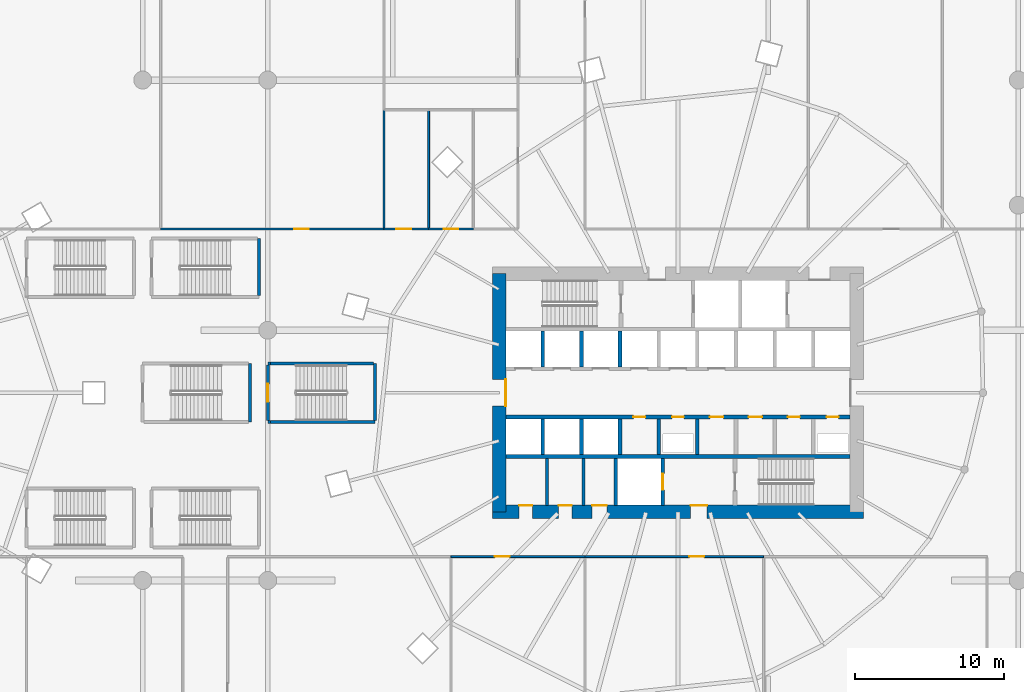
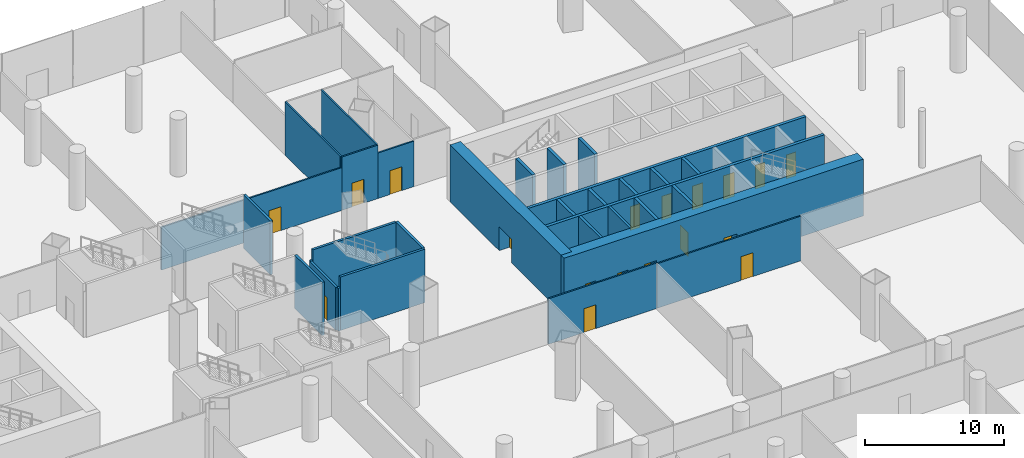
# One storey, part 39 of 51: 31 walls, 18 doors, 18 openings.
"""IFC4 building model written with IfcOpenShell, lengths in metres."""

import ifcopenshell
import ifcopenshell.guid

model = None  # the IFC model being written
_history = None  # IfcOwnerHistory: only IFC2X3 demands one
_inside = {}  # id of a spatial element -> (the spatial element, [elements in it])
_under = {}  # id of a project, library or spatial element -> (it, [spatial elements below it])
_declared = {}  # id of a project -> (the project, [libraries it declares])
_typed = {}  # id of a type object -> (the type object, [elements of that type])
_made_of = {}  # id of a material, layer set ... -> (it, [elements and type objects made of it])


def new_model(schema):
    """Start an empty IFC model of exactly this schema.

    Asked for "IFC4X3", IfcOpenShell would pick the latest addendum, in which some entities
    have other attributes; the version numbers below select the first issue.
    IFC2X3 requires an IfcOwnerHistory on every rooted entity: one is made here for all.
    """
    global model, _history
    if schema == "IFC4X3":
        model = ifcopenshell.file(schema_version=(4, 3, 0, 0))
    else:
        model = ifcopenshell.file(schema=schema)
    _inside.clear()
    _under.clear()
    _declared.clear()
    _typed.clear()
    _made_of.clear()
    _history = None
    if model.schema == "IFC2X3":
        org = make("IfcOrganization", Name="unknown")
        user = make(
            "IfcPersonAndOrganization",
            ThePerson=make("IfcPerson", FamilyName="unknown"),
            TheOrganization=org,
        )
        app = make(
            "IfcApplication",
            ApplicationDeveloper=org,
            Version="unknown",
            ApplicationFullName="unknown",
            ApplicationIdentifier="unknown",
        )
        _history = make(
            "IfcOwnerHistory",
            OwningUser=user,
            OwningApplication=app,
            ChangeAction="ADDED",
            CreationDate=0,
        )
    return model


def make(cls, **values):
    """One entity of the class cls with the attributes given. An attribute that is None is left unset."""
    return model.create_entity(
        cls, **{name: value for name, value in values.items() if value is not None}
    )


def rooted(cls, **values):
    """An entity with a GlobalId (a new one), such as an element, a storey or a relation."""
    return make(cls, GlobalId=ifcopenshell.guid.new(), OwnerHistory=_history, **values)


def si_unit(unit_type, name, prefix=None):
    """IfcSIUnit, for example si_unit("LENGTHUNIT", "METRE", prefix="MILLI")."""
    return make("IfcSIUnit", UnitType=unit_type, Prefix=prefix, Name=name)


def assignment(units):
    """IfcUnitAssignment: the units of a project."""
    return None if units is None else make("IfcUnitAssignment", Units=units)


def point(xyz):
    """IfcCartesianPoint."""
    return None if xyz is None else make("IfcCartesianPoint", Coordinates=xyz)


def direction(xyz):
    """IfcDirection."""
    return None if xyz is None else make("IfcDirection", DirectionRatios=xyz)


def frame(location, z_axis=None, x_axis=None):
    """IfcAxis2Placement3D, a coordinate frame: its origin and axes. An axis left out is left unset."""
    return make(
        "IfcAxis2Placement3D",
        Location=point(location),
        Axis=direction(z_axis),
        RefDirection=direction(x_axis),
    )


def frame_2d(location, x_axis=None):
    """IfcAxis2Placement2D, a coordinate frame in the plane: its origin and x axis."""
    return make(
        "IfcAxis2Placement2D", Location=point(location), RefDirection=direction(x_axis)
    )


def origin():
    """The frame at (0, 0, 0) with its axes left unset."""
    return frame((0.0, 0.0, 0.0))


def place(relative_to, where):
    """IfcLocalPlacement: puts the frame where relative to a parent placement (None: the world)."""
    return make(
        "IfcLocalPlacement", PlacementRelTo=relative_to, RelativePlacement=where
    )


def context(
    kind, dimensions, precision=None, world=None, true_north=None, identifier=None
):
    """IfcGeometricRepresentationContext, for example the 3D "Model" context."""
    return make(
        "IfcGeometricRepresentationContext",
        ContextIdentifier=identifier,
        ContextType=kind,
        CoordinateSpaceDimension=dimensions,
        Precision=precision,
        WorldCoordinateSystem=world,
        TrueNorth=true_north,
    )


def subcontext(parent, identifier, kind, view, scale=None):
    """IfcGeometricRepresentationSubContext, for example "Body" below "Model"."""
    return make(
        "IfcGeometricRepresentationSubContext",
        ContextIdentifier=identifier,
        ContextType=kind,
        ParentContext=parent,
        TargetScale=scale,
        TargetView=view,
    )


def project(units=None, contexts=None):
    """IfcProject with its units and contexts."""
    return rooted(
        "IfcProject",
        Name="project",
        RepresentationContexts=contexts,
        UnitsInContext=assignment(units),
    )


def spatial(cls, under=None, at=None, **own):
    """A site, building, storey or space (cls), placed at a placement, below another one or the project."""
    s = rooted(cls, ObjectPlacement=at, **own)
    if under is not None:
        _under.setdefault(under.id(), (under, []))[1].append(s)
    return s


def profile(cls, at=None, kind="AREA", **sizes):
    """A parametric profile (cls). Its sizes go by their IFC names, for example OverallWidth=200.0."""
    return make(cls, ProfileType=kind, Position=at, **sizes)


def rectangle(**sizes):
    """IfcRectangleProfileDef."""
    return profile("IfcRectangleProfileDef", **sizes)


def extrude(swept, where, along, depth):
    """IfcExtrudedAreaSolid: the profile swept, set in the frame where, extruded along a direction by depth."""
    return make(
        "IfcExtrudedAreaSolid",
        SweptArea=swept,
        Position=where,
        ExtrudedDirection=direction(along),
        Depth=depth,
    )


def shape(context_of_items, identifier, shape_type, items):
    """IfcShapeRepresentation: the items that make up one representation, for example the "Body"."""
    return make(
        "IfcShapeRepresentation",
        ContextOfItems=context_of_items,
        RepresentationIdentifier=identifier,
        RepresentationType=shape_type,
        Items=items,
    )


def material(Name=None, Category=None):
    """IfcMaterial."""
    return make("IfcMaterial", Name=Name, Category=Category)


def layer(
    of_material, thickness, ventilated=None, Name=None, Category=None, Priority=None
):
    """IfcMaterialLayer: one layer of a wall or slab, of a material (None: an air gap)."""
    return make(
        "IfcMaterialLayer",
        Material=of_material,
        LayerThickness=thickness,
        IsVentilated=ventilated,
        Name=Name,
        Category=Category,
        Priority=Priority,
    )


def layer_set(layers, Name=None):
    """IfcMaterialLayerSet."""
    return make("IfcMaterialLayerSet", MaterialLayers=layers, LayerSetName=Name)


def made_of(thing, what):
    """Note that an element or type object is made of a material, layer set ...; save() writes the relation."""
    if what is not None:
        _made_of.setdefault(what.id(), (what, []))[1].append(thing)
    return thing


def type_object(cls, material=None, **own):
    """A type object (cls), such as IfcWallType, which elements share."""
    return made_of(rooted(cls, **own), material)


def element(
    cls,
    number,
    at=None,
    inside=None,
    cuts=None,
    type_object=None,
    material=None,
    context=None,
    identifier="Body",
    shape_type=None,
    held_by="IfcProductDefinitionShape",
    body=None,
    shapes=None,
    **own,
):
    """One element of the class cls, such as IfcWall. Its Tag is "e" and its number.

    at: its placement. inside: the storey or other place that contains it. cuts: it is an
    opening in that element (IfcRelVoidsElement). A single representation is given by context,
    identifier, shape_type and body (its items); several are given by shapes. held_by: the class
    of the entity that holds the representations. save() writes the other relations.
    """
    e = rooted(cls, Tag="e%d" % number, ObjectPlacement=at, **own)
    if body is not None:
        shapes = [shape(context, identifier, shape_type, body)]
    if shapes is not None:
        e.Representation = make(held_by, Representations=shapes)
    if inside is not None:
        _inside.setdefault(inside.id(), (inside, []))[1].append(e)
    if cuts is not None:
        rooted(
            "IfcRelVoidsElement", RelatingBuildingElement=cuts, RelatedOpeningElement=e
        )
    if type_object is not None:
        _typed.setdefault(type_object.id(), (type_object, []))[1].append(e)
    return made_of(e, material)


def fill(opening, filler):
    """IfcRelFillsElement: the door or window that sits in an opening."""
    return rooted(
        "IfcRelFillsElement",
        RelatingOpeningElement=opening,
        RelatedBuildingElement=filler,
    )


def aggregate(whole, parts):
    """IfcRelAggregates: a whole, such as a stair, and the parts it consists of."""
    return rooted("IfcRelAggregates", RelatingObject=whole, RelatedObjects=parts)


def save(model, path):
    """Write the relations noted so far, then the file.

    IfcRelAggregates (storeys below a building ...), IfcRelContainedInSpatialStructure (elements
    in a storey), IfcRelDefinesByType, IfcRelAssociatesMaterial and IfcRelDeclares: one each for
    every whole, place, type object, material and project.
    """
    for whole, parts in _under.values():
        aggregate(whole, parts)
    for where, things in _inside.values():
        rooted(
            "IfcRelContainedInSpatialStructure",
            RelatedElements=things,
            RelatingStructure=where,
        )
    for kind, things in _typed.values():
        rooted("IfcRelDefinesByType", RelatedObjects=things, RelatingType=kind)
    for what, things in _made_of.values():
        rooted("IfcRelAssociatesMaterial", RelatedObjects=things, RelatingMaterial=what)
    for by, libraries in _declared.values():
        rooted("IfcRelDeclares", RelatingContext=by, RelatedDefinitions=libraries)
    model.write(path)


model = new_model("IFC4")

# Units and contexts
model_context = context("Model", 3, precision=1e-05, world=origin(), true_north=direction((0.0, 1.0)))
body_context = subcontext(model_context, "Body", "Model", "MODEL_VIEW")
ifc_project = project(units=[si_unit("LENGTHUNIT", "METRE"), si_unit("AREAUNIT", "SQUARE_METRE"), si_unit("VOLUMEUNIT", "CUBIC_METRE"), si_unit("PLANEANGLEUNIT", "RADIAN"), si_unit("MASSUNIT", "GRAM", prefix="KILO")], contexts=[model_context])

# Site, building, storey
site_placement = place(None, origin())
site = spatial("IfcSite", under=ifc_project, at=site_placement, CompositionType="ELEMENT")
building_placement = place(site_placement, origin())
building = spatial("IfcBuilding", under=site, at=building_placement, Name="Rimbun Link Towers", CompositionType="ELEMENT")
storey_placement = place(building_placement, frame((0.0, 0.0, 7.0)))
storey = spatial("IfcBuildingStorey", under=building, at=storey_placement, Name="L01", CompositionType="ELEMENT", Elevation=7.0)

# Walls
ifc_material_1 = material(Name="Masonry blockwork", Category="masonry")
ifc_layer_1 = layer(ifc_material_1, 0.199951171875)
ifc_layer_set_1 = layer_set([ifc_layer_1], Name="Core partition 200")
wall_type_1 = type_object("IfcWallType", Name="Core partition 200", PredefinedType="PARTITIONING", material=ifc_layer_set_1)
for number, where, z_axis, x_axis, name in (
    (1, (22.949951171875, -4.39990234375, 0.0), (0.0, 0.0, 1.0), (0.0, -1.0, 0.0), "L01 T2 core wall C1"),
    (2, (25.39990234375, -4.39990234375, 0.0), (0.0, 0.0, 1.0), (0.0, -1.0, 0.0), "L01 T2 core wall C2"),
):
    element("IfcWall", number, at=place(storey_placement, frame(where, z_axis=z_axis, x_axis=x_axis)), inside=storey, type_object=wall_type_1, Name=name, PredefinedType="PARTITIONING", context=body_context, shape_type="SweptSolid", body=[
        extrude(rectangle(XDim=3.150146484375, YDim=0.199951171875, at=frame_2d((1.5751953125, 0.0))), origin(), (0.0, 0.0, 1.0), 5.0),
    ])

# Wall, openings, doors
ifc_material_2 = material(Name="Concrete C60/75", Category="concrete")
ifc_layer_2 = layer(ifc_material_2, 0.89990234375)
ifc_layer_set_2 = layer_set([ifc_layer_2], Name="Core shear wall 900")
wall_type_2 = type_object("IfcWallType", Name="Core shear wall 900", PredefinedType="SHEAR", material=ifc_layer_set_2)
wall_1_placement = place(storey_placement, frame((19.300048828125, -8.0, 0.0), z_axis=(0.0, 0.0, 1.0), x_axis=(1.0, 0.0, 0.0)))
wall_1 = element("IfcWall", 3, at=wall_1_placement, inside=storey, type_object=wall_type_2, Name="L01 T2 core wall S", PredefinedType="SHEAR", context=body_context, shape_type="SweptSolid", body=[
    extrude(rectangle(XDim=24.89990234375, YDim=0.89990234375, at=frame_2d((12.449951171875, 0.0))), origin(), (0.0, 0.0, 1.0), 5.0),
])
opening_1_placement = place(wall_1_placement, frame((13.300048828125, 0.0, 0.0)))
opening_1 = element("IfcOpeningElement", 4, at=opening_1_placement, cuts=wall_1, Name="Opening C2DCF01S", PredefinedType="OPENING", context=body_context, shape_type="SweptSolid", body=[
    extrude(rectangle(XDim=1.10009765625, YDim=2.10009765625, at=frame_2d((0.550048828125, 1.050048828125))), frame((0.0, 0.4599609375, 0.0), z_axis=(0.0, -1.0, 0.0), x_axis=(1.0, 0.0, 0.0)), (0.0, 0.0, 1.0), 0.919921875),
])
opening_2_placement = place(wall_1_placement, frame((1.77490234375, 0.0, 0.0)))
opening_2 = element("IfcOpeningElement", 5, at=opening_2_placement, cuts=wall_1, Name="Opening C2DWC02S", PredefinedType="OPENING", context=body_context, shape_type="SweptSolid", body=[
    extrude(rectangle(XDim=0.89990234375, YDim=2.10009765625, at=frame_2d((0.449951171875, 1.050048828125))), frame((0.0, 0.4599609375, 0.0), z_axis=(0.0, -1.0, 0.0), x_axis=(1.0, 0.0, 0.0)), (0.0, 0.0, 1.0), 0.919921875),
])
opening_3_placement = place(wall_1_placement, frame((4.425048828125, 0.0, 0.0)))
opening_3 = element("IfcOpeningElement", 6, at=opening_3_placement, cuts=wall_1, Name="Opening C2DWC03S", PredefinedType="OPENING", context=body_context, shape_type="SweptSolid", body=[
    extrude(rectangle(XDim=0.89990234375, YDim=2.10009765625, at=frame_2d((0.449951171875, 1.050048828125))), frame((0.0, 0.4599609375, 0.0), z_axis=(0.0, -1.0, 0.0), x_axis=(1.0, 0.0, 0.0)), (0.0, 0.0, 1.0), 0.919921875),
])
opening_4_placement = place(wall_1_placement, frame((6.675048828125, 0.0, 0.0)))
opening_4 = element("IfcOpeningElement", 7, at=opening_4_placement, cuts=wall_1, Name="Opening C2DAW04S", PredefinedType="OPENING", context=body_context, shape_type="SweptSolid", body=[
    extrude(rectangle(XDim=1.0, YDim=2.10009765625, at=frame_2d((0.5, 1.050048828125))), frame((0.0, 0.4599609375, 0.0), z_axis=(0.0, -1.0, 0.0), x_axis=(1.0, 0.0, 0.0)), (0.0, 0.0, 1.0), 0.919921875),
])
ifc_material_3 = material(Name="Timber", Category="wood")
door_type_1 = type_object("IfcDoorType", Name="Accessible WC door", OperationType="SINGLE_SWING_LEFT", PredefinedType="DOOR", material=ifc_material_3)
door_1_placement = place(opening_4_placement, origin())
door_1 = element("IfcDoor", 8, at=door_1_placement, inside=storey, type_object=door_type_1, Name="L01 T2 accessible wc door", OperationType="SINGLE_SWING_LEFT", OverallHeight=2.10009765625, OverallWidth=1.0, PredefinedType="DOOR", context=body_context, shape_type="SweptSolid", body=[
    extrude(rectangle(XDim=1.0, YDim=2.10009765625, at=frame_2d((0.5, 1.050048828125))), frame((0.0, 0.4501953125, 0.0), z_axis=(0.0, -1.0, 0.0), x_axis=(1.0, 0.0, 0.0)), (0.0, 0.0, 1.0), 0.050048828125),
])
fill(opening_4, door_1)
ifc_material_4 = material(Name="Steel fire door set", Category="steel")
door_type_2 = type_object("IfcDoorType", Name="Core fire door single", OperationType="SINGLE_SWING_LEFT", PredefinedType="DOOR", material=ifc_material_4)
door_2_placement = place(opening_1_placement, origin())
door_2 = element("IfcDoor", 9, at=door_2_placement, inside=storey, type_object=door_type_2, Name="L01 T2 firefighting lobby s door", OperationType="SINGLE_SWING_RIGHT", OverallHeight=2.10009765625, OverallWidth=1.10009765625, PredefinedType="DOOR", context=body_context, shape_type="SweptSolid", body=[
    extrude(rectangle(XDim=1.10009765625, YDim=2.10009765625, at=frame_2d((0.550048828125, 1.050048828125))), frame((0.0, 0.4501953125, 0.0), z_axis=(0.0, -1.0, 0.0), x_axis=(1.0, 0.0, 0.0)), (0.0, 0.0, 1.0), 0.050048828125),
])
fill(opening_1, door_2)
ifc_material_5 = material(Name="Timber", Category="wood")
door_type_3 = type_object("IfcDoorType", Name="WC door", OperationType="SINGLE_SWING_LEFT", PredefinedType="DOOR", material=ifc_material_5)
door_3_placement = place(opening_2_placement, origin())
door_3 = element("IfcDoor", 10, at=door_3_placement, inside=storey, type_object=door_type_3, Name="L01 T2 male wc door", OperationType="SINGLE_SWING_RIGHT", OverallHeight=2.10009765625, OverallWidth=0.89990234375, PredefinedType="DOOR", context=body_context, shape_type="SweptSolid", body=[
    extrude(rectangle(XDim=0.89990234375, YDim=2.10009765625, at=frame_2d((0.449951171875, 1.050048828125))), frame((0.0, 0.4501953125, 0.0), z_axis=(0.0, -1.0, 0.0), x_axis=(1.0, 0.0, 0.0)), (0.0, 0.0, 1.0), 0.050048828125),
])
fill(opening_2, door_3)
door_4_placement = place(opening_3_placement, origin())
door_4 = element("IfcDoor", 11, at=door_4_placement, inside=storey, type_object=door_type_3, Name="L01 T2 female wc door", OperationType="SINGLE_SWING_RIGHT", OverallHeight=2.10009765625, OverallWidth=0.89990234375, PredefinedType="DOOR", context=body_context, shape_type="SweptSolid", body=[
    extrude(rectangle(XDim=0.89990234375, YDim=2.10009765625, at=frame_2d((0.449951171875, 1.050048828125))), frame((0.0, 0.4501953125, 0.0), z_axis=(0.0, -1.0, 0.0), x_axis=(1.0, 0.0, 0.0)), (0.0, 0.0, 1.0), 0.050048828125),
])
fill(opening_3, door_4)

# Wall, opening, door
wall_2_placement = place(storey_placement, frame((19.75, -8.0, 0.0), z_axis=(0.0, 0.0, 1.0), x_axis=(0.0, 1.0, 0.0)))
wall_2 = element("IfcWall", 12, at=wall_2_placement, inside=storey, type_object=wall_type_2, Name="L01 T2 core wall W", PredefinedType="SHEAR", context=body_context, shape_type="SweptSolid", body=[
    extrude(rectangle(XDim=16.0, YDim=0.89990234375, at=frame_2d((8.0, 0.0))), origin(), (0.0, 0.0, 1.0), 5.0),
])
opening_5_placement = place(wall_2_placement, frame((7.10009765625, 0.0, 0.0)))
opening_5 = element("IfcOpeningElement", 13, at=opening_5_placement, cuts=wall_2, Name="Opening C2DCL01W", PredefinedType="OPENING", context=body_context, shape_type="SweptSolid", body=[
    extrude(rectangle(XDim=1.800048828125, YDim=2.10009765625, at=frame_2d((0.89990234375, 1.050048828125))), frame((0.0, 0.4599609375, 0.0), z_axis=(0.0, -1.0, 0.0), x_axis=(1.0, 0.0, 0.0)), (0.0, 0.0, 1.0), 0.919921875),
])
ifc_material_6 = material(Name="Steel fire door set", Category="steel")
door_type_4 = type_object("IfcDoorType", Name="Core lobby door double", OperationType="DOUBLE_DOOR_SINGLE_SWING", PredefinedType="DOOR", material=ifc_material_6)
door_5_placement = place(opening_5_placement, origin())
door_5 = element("IfcDoor", 14, at=door_5_placement, inside=storey, type_object=door_type_4, Name="L01 T2 lift lobby door", OperationType="DOUBLE_DOOR_SINGLE_SWING", OverallHeight=2.10009765625, OverallWidth=1.800048828125, PredefinedType="DOOR", context=body_context, shape_type="SweptSolid", body=[
    extrude(rectangle(XDim=1.800048828125, YDim=2.10009765625, at=frame_2d((0.89990234375, 1.050048828125))), frame((0.0, -0.39990234375, 0.0), z_axis=(0.0, -1.0, 0.0), x_axis=(1.0, 0.0, 0.0)), (0.0, 0.0, 1.0), 0.050048828125),
])
fill(opening_5, door_5)

ifc_material_7 = material(Name="Gypsum board on steel studs", Category="steel")
ifc_layer_3 = layer(ifc_material_7, 0.125)
ifc_layer_set_3 = layer_set([ifc_layer_3], Name="Partition 125 board on studs")
wall_type_3 = type_object("IfcWallType", Name="Partition 125 board on studs", PredefinedType="PARTITIONING", material=ifc_layer_set_3)
wall_3_placement = place(storey_placement, frame((16.5, -11.0, 0.0), z_axis=(0.0, 0.0, 1.0), x_axis=(1.0, 0.0, 0.0)))
wall_3 = element("IfcWall", 15, at=wall_3_placement, inside=storey, type_object=wall_type_3, Name="PD/PW/L01/031", PredefinedType="PARTITIONING", context=body_context, shape_type="SweptSolid", body=[
    extrude(rectangle(XDim=9.0, YDim=0.125, at=frame_2d((4.5, 0.0))), origin(), (0.0, 0.0, 1.0), 3.99609375),
])
opening_6_placement = place(wall_3_placement, frame((2.93505859375, 0.0, 0.0)))
opening_6 = element("IfcOpeningElement", 16, at=opening_6_placement, cuts=wall_3, Name="Opening PD D01.17", PredefinedType="OPENING", context=body_context, shape_type="SweptSolid", body=[
    extrude(rectangle(XDim=1.0, YDim=2.10009765625, at=frame_2d((0.5, 1.050048828125))), frame((0.0, 0.072509765625, 0.0), z_axis=(0.0, -1.0, 0.0), x_axis=(1.0, 0.0, 0.0)), (0.0, 0.0, 1.0), 0.14501953125),
])
ifc_material_8 = material(Name="Timber door set", Category="wood")
door_type_5 = type_object("IfcDoorType", Name="Door single leaf 1000 x 2100", OperationType="NOTDEFINED", PredefinedType="DOOR", material=ifc_material_8)
door_6_placement = place(opening_6_placement, origin())
door_6 = element("IfcDoor", 17, at=door_6_placement, inside=storey, type_object=door_type_5, Name="PD/DR/L01/017", OperationType="SINGLE_SWING_RIGHT", OverallHeight=2.10009765625, OverallWidth=1.0, PredefinedType="DOOR", context=body_context, shape_type="SweptSolid", body=[
    extrude(rectangle(XDim=1.0, YDim=2.10009765625, at=frame_2d((0.5, 1.050048828125))), frame((0.0, 0.02490234375, 0.0), z_axis=(0.0, -1.0, 0.0), x_axis=(1.0, 0.0, 0.0)), (0.0, 0.0, 1.0), 0.050048828125),
])
fill(opening_6, door_6)

wall_4_placement = place(storey_placement, frame((25.5, -11.0, 0.0), z_axis=(0.0, 0.0, 1.0), x_axis=(1.0, 0.0, 0.0)))
wall_4 = element("IfcWall", 18, at=wall_4_placement, inside=storey, type_object=wall_type_3, Name="PD/PW/L01/032", PredefinedType="PARTITIONING", context=body_context, shape_type="SweptSolid", body=[
    extrude(rectangle(XDim=12.0, YDim=0.125, at=frame_2d((6.0, 0.0))), origin(), (0.0, 0.0, 1.0), 3.91796875),
])
opening_7_placement = place(wall_4_placement, frame((7.014892578125, 0.0, 0.0)))
opening_7 = element("IfcOpeningElement", 19, at=opening_7_placement, cuts=wall_4, Name="Opening PD D01.18", PredefinedType="OPENING", context=body_context, shape_type="SweptSolid", body=[
    extrude(rectangle(XDim=1.0, YDim=2.10009765625, at=frame_2d((0.5, 1.050048828125))), frame((0.0, 0.072509765625, 0.0), z_axis=(0.0, -1.0, 0.0), x_axis=(1.0, 0.0, 0.0)), (0.0, 0.0, 1.0), 0.14501953125),
])
door_7_placement = place(opening_7_placement, origin())
door_7 = element("IfcDoor", 20, at=door_7_placement, inside=storey, type_object=door_type_5, Name="PD/DR/L01/018", OperationType="SINGLE_SWING_LEFT", OverallHeight=2.10009765625, OverallWidth=1.0, PredefinedType="DOOR", context=body_context, shape_type="SweptSolid", body=[
    extrude(rectangle(XDim=1.0, YDim=2.10009765625, at=frame_2d((0.5, 1.050048828125))), frame((0.0, 0.02490234375, 0.0), z_axis=(0.0, -1.0, 0.0), x_axis=(1.0, 0.0, 0.0)), (0.0, 0.0, 1.0), 0.050048828125),
])
fill(opening_7, door_7)

wall_5_placement = place(storey_placement, frame((15.0, 11.0, 0.0), z_axis=(0.0, 0.0, 1.0), x_axis=(-1.0, 0.0, 0.0)))
wall_5 = element("IfcWall", 21, at=wall_5_placement, inside=storey, type_object=wall_type_3, Name="PD/PW/L01/035", PredefinedType="PARTITIONING", context=body_context, shape_type="SweptSolid", body=[
    extrude(rectangle(XDim=3.0, YDim=0.125, at=frame_2d((1.5, 0.0))), origin(), (0.0, 0.0, 1.0), 4.699951171875),
])
opening_8_placement = place(wall_5_placement, frame((1.1650390625, 0.0, 0.0)))
opening_8 = element("IfcOpeningElement", 22, at=opening_8_placement, cuts=wall_5, Name="Opening PD D01.21", PredefinedType="OPENING", context=body_context, shape_type="SweptSolid", body=[
    extrude(rectangle(XDim=1.0, YDim=2.10009765625, at=frame_2d((0.5, 1.050048828125))), frame((0.0, 0.072509765625, 0.0), z_axis=(0.0, -1.0, 0.0), x_axis=(1.0, 0.0, 0.0)), (0.0, 0.0, 1.0), 0.14501953125),
])
door_8_placement = place(opening_8_placement, origin())
door_8 = element("IfcDoor", 23, at=door_8_placement, inside=storey, type_object=door_type_5, Name="PD/DR/L01/021", OperationType="SINGLE_SWING_RIGHT", OverallHeight=2.10009765625, OverallWidth=1.0, PredefinedType="DOOR", context=body_context, shape_type="SweptSolid", body=[
    extrude(rectangle(XDim=1.0, YDim=2.10009765625, at=frame_2d((0.5, 1.050048828125))), frame((0.0, 0.02490234375, 0.0), z_axis=(0.0, -1.0, 0.0), x_axis=(1.0, 0.0, 0.0)), (0.0, 0.0, 1.0), 0.050048828125),
])
fill(opening_8, door_8)

wall_6_placement = place(storey_placement, frame((18.0, 11.0, 0.0), z_axis=(0.0, 0.0, 1.0), x_axis=(-1.0, 0.0, 0.0)))
wall_6 = element("IfcWall", 24, at=wall_6_placement, inside=storey, type_object=wall_type_3, Name="PD/PW/L01/036", PredefinedType="PARTITIONING", context=body_context, shape_type="SweptSolid", body=[
    extrude(rectangle(XDim=3.0, YDim=0.125, at=frame_2d((1.5, 0.0))), origin(), (0.0, 0.0, 1.0), 3.99609375),
])
opening_9_placement = place(wall_6_placement, frame((1.0, 0.0, 0.0)))
opening_9 = element("IfcOpeningElement", 25, at=opening_9_placement, cuts=wall_6, Name="Opening PD D01.22", PredefinedType="OPENING", context=body_context, shape_type="SweptSolid", body=[
    extrude(rectangle(XDim=1.0, YDim=2.10009765625, at=frame_2d((0.5, 1.050048828125))), frame((0.0, 0.072509765625, 0.0), z_axis=(0.0, -1.0, 0.0), x_axis=(1.0, 0.0, 0.0)), (0.0, 0.0, 1.0), 0.14501953125),
])
door_9_placement = place(opening_9_placement, origin())
door_9 = element("IfcDoor", 26, at=door_9_placement, inside=storey, type_object=door_type_5, Name="PD/DR/L01/022", OperationType="SINGLE_SWING_LEFT", OverallHeight=2.10009765625, OverallWidth=1.0, PredefinedType="DOOR", context=body_context, shape_type="SweptSolid", body=[
    extrude(rectangle(XDim=1.0, YDim=2.10009765625, at=frame_2d((0.5, 1.050048828125))), frame((0.0, 0.02490234375, 0.0), z_axis=(0.0, -1.0, 0.0), x_axis=(1.0, 0.0, 0.0)), (0.0, 0.0, 1.0), 0.050048828125),
])
fill(opening_9, door_9)

wall_7_placement = place(storey_placement, frame((12.0, 11.0, 0.0), z_axis=(0.0, 0.0, 1.0), x_axis=(-1.0, 0.0, 0.0)))
wall_7 = element("IfcWall", 27, at=wall_7_placement, inside=storey, type_object=wall_type_3, Name="PD/PW/L01/042", PredefinedType="PARTITIONING", context=body_context, shape_type="SweptSolid", body=[
    extrude(rectangle(XDim=15.0, YDim=0.125, at=frame_2d((7.5, 0.0))), origin(), (0.0, 0.0, 1.0), 3.761962890625),
])
opening_10_placement = place(wall_7_placement, frame((5.034912109375, 0.0, 0.0)))
opening_10 = element("IfcOpeningElement", 28, at=opening_10_placement, cuts=wall_7, Name="Opening PD D01.30", PredefinedType="OPENING", context=body_context, shape_type="SweptSolid", body=[
    extrude(rectangle(XDim=1.0, YDim=2.10009765625, at=frame_2d((0.5, 1.050048828125))), frame((0.0, 0.072509765625, 0.0), z_axis=(0.0, -1.0, 0.0), x_axis=(1.0, 0.0, 0.0)), (0.0, 0.0, 1.0), 0.14501953125),
])
door_10_placement = place(opening_10_placement, origin())
door_10 = element("IfcDoor", 29, at=door_10_placement, inside=storey, type_object=door_type_5, Name="PD/DR/L01/030", OperationType="SINGLE_SWING_LEFT", OverallHeight=2.10009765625, OverallWidth=1.0, PredefinedType="DOOR", context=body_context, shape_type="SweptSolid", body=[
    extrude(rectangle(XDim=1.0, YDim=2.10009765625, at=frame_2d((0.5, 1.050048828125))), frame((0.0, 0.02490234375, 0.0), z_axis=(0.0, -1.0, 0.0), x_axis=(1.0, 0.0, 0.0)), (0.0, 0.0, 1.0), 0.050048828125),
])
fill(opening_10, door_10)

# Walls
wall_8_placement = place(storey_placement, frame((15.0, 11.0625, 0.0), z_axis=(0.0, 0.0, 1.0), x_axis=(0.0, 1.0, 0.0)))
element("IfcWall", 30, at=wall_8_placement, inside=storey, type_object=wall_type_3, Name="PD/PW/L01/091", PredefinedType="PARTITIONING", context=body_context, shape_type="SweptSolid", body=[
    extrude(rectangle(XDim=7.9375, YDim=0.125, at=frame_2d((3.96875, 0.0))), origin(), (0.0, 0.0, 1.0), 4.699951171875),
])
wall_9_placement = place(storey_placement, frame((12.0, 19.02001953125, 0.0), z_axis=(0.0, 0.0, 1.0), x_axis=(0.0, -1.0, 0.0)))
element("IfcWall", 31, at=wall_9_placement, inside=storey, type_object=wall_type_3, Name="PD/PW/L01/093", PredefinedType="PARTITIONING", context=body_context, shape_type="SweptSolid", body=[
    extrude(rectangle(XDim=7.95751953125, YDim=0.125, at=frame_2d((3.978759765625, 0.0))), origin(), (0.0, 0.0, 1.0), 4.699951171875),
])
ifc_material_9 = material(Name="Concrete C60/75", Category="concrete")
ifc_layer_4 = layer(ifc_material_9, 0.25)
ifc_layer_set_4 = layer_set([ifc_layer_4], Name="Shaft wall 250")
wall_type_4 = type_object("IfcWallType", Name="Shaft wall 250", PredefinedType="SHEAR", material=ifc_layer_set_4)
wall_10_placement = place(storey_placement, frame((20.199951171875, -4.27490234375, 0.0), z_axis=(0.0, 0.0, 1.0), x_axis=(1.0, 0.0, 0.0)))
element("IfcWall", 32, at=wall_10_placement, inside=storey, type_object=wall_type_4, Name="L01 T2 core wall BS", PredefinedType="SHEAR", context=body_context, shape_type="SweptSolid", body=[
    extrude(rectangle(XDim=23.10009765625, YDim=0.25, at=frame_2d((11.550048828125, 0.0))), origin(), (0.0, 0.0, 1.0), 5.0),
])

# Wall, openings, doors
wall_11_placement = place(storey_placement, frame((20.199951171875, -1.625, 0.0), z_axis=(0.0, 0.0, 1.0), x_axis=(1.0, 0.0, 0.0)))
wall_11 = element("IfcWall", 33, at=wall_11_placement, inside=storey, type_object=wall_type_4, Name="L01 T2 core wall FS", PredefinedType="SHEAR", context=body_context, shape_type="SweptSolid", body=[
    extrude(rectangle(XDim=23.10009765625, YDim=0.25, at=frame_2d((11.550048828125, 0.0))), origin(), (0.0, 0.0, 1.0), 5.0),
])
opening_11_placement = place(wall_11_placement, frame((8.5556640625, 0.0, 0.0)))
opening_11 = element("IfcOpeningElement", 34, at=opening_11_placement, cuts=wall_11, Name="Opening C2DRA01FS", PredefinedType="OPENING", context=body_context, shape_type="SweptSolid", body=[
    extrude(rectangle(XDim=0.800048828125, YDim=2.10009765625, at=frame_2d((0.39990234375, 1.050048828125))), frame((0.0, 0.135009765625, 0.0), z_axis=(0.0, -1.0, 0.0), x_axis=(1.0, 0.0, 0.0)), (0.0, 0.0, 1.0), 0.27001953125),
])
opening_12_placement = place(wall_11_placement, frame((11.14990234375, 0.0, 0.0)))
opening_12 = element("IfcOpeningElement", 35, at=opening_12_placement, cuts=wall_11, Name="Opening C2DRA02FS", PredefinedType="OPENING", context=body_context, shape_type="SweptSolid", body=[
    extrude(rectangle(XDim=0.800048828125, YDim=2.10009765625, at=frame_2d((0.39990234375, 1.050048828125))), frame((0.0, 0.135009765625, 0.0), z_axis=(0.0, -1.0, 0.0), x_axis=(1.0, 0.0, 0.0)), (0.0, 0.0, 1.0), 0.27001953125),
])
opening_13_placement = place(wall_11_placement, frame((13.6943359375, 0.0, 0.0)))
opening_13 = element("IfcOpeningElement", 36, at=opening_13_placement, cuts=wall_11, Name="Opening C2DRS03FS", PredefinedType="OPENING", context=body_context, shape_type="SweptSolid", body=[
    extrude(rectangle(XDim=0.89990234375, YDim=2.10009765625, at=frame_2d((0.449951171875, 1.050048828125))), frame((0.0, 0.135009765625, 0.0), z_axis=(0.0, -1.0, 0.0), x_axis=(1.0, 0.0, 0.0)), (0.0, 0.0, 1.0), 0.27001953125),
])
opening_14_placement = place(wall_11_placement, frame((16.288818359375, 0.0, 0.0)))
opening_14 = element("IfcOpeningElement", 37, at=opening_14_placement, cuts=wall_11, Name="Opening C2DRS04FS", PredefinedType="OPENING", context=body_context, shape_type="SweptSolid", body=[
    extrude(rectangle(XDim=0.89990234375, YDim=2.10009765625, at=frame_2d((0.449951171875, 1.050048828125))), frame((0.0, 0.135009765625, 0.0), z_axis=(0.0, -1.0, 0.0), x_axis=(1.0, 0.0, 0.0)), (0.0, 0.0, 1.0), 0.27001953125),
])
opening_15_placement = place(wall_11_placement, frame((18.933349609375, 0.0, 0.0)))
opening_15 = element("IfcOpeningElement", 38, at=opening_15_placement, cuts=wall_11, Name="Opening C2DRA05FS", PredefinedType="OPENING", context=body_context, shape_type="SweptSolid", body=[
    extrude(rectangle(XDim=0.800048828125, YDim=2.10009765625, at=frame_2d((0.39990234375, 1.050048828125))), frame((0.0, 0.135009765625, 0.0), z_axis=(0.0, -1.0, 0.0), x_axis=(1.0, 0.0, 0.0)), (0.0, 0.0, 1.0), 0.27001953125),
])
opening_16_placement = place(wall_11_placement, frame((21.52783203125, 0.0, 0.0)))
opening_16 = element("IfcOpeningElement", 39, at=opening_16_placement, cuts=wall_11, Name="Opening C2DRA06FS", PredefinedType="OPENING", context=body_context, shape_type="SweptSolid", body=[
    extrude(rectangle(XDim=0.800048828125, YDim=2.10009765625, at=frame_2d((0.39990234375, 1.050048828125))), frame((0.0, 0.135009765625, 0.0), z_axis=(0.0, -1.0, 0.0), x_axis=(1.0, 0.0, 0.0)), (0.0, 0.0, 1.0), 0.27001953125),
])
ifc_material_10 = material(Name="Steel fire door set", Category="steel")
door_type_6 = type_object("IfcDoorType", Name="Core riser door", OperationType="SINGLE_SWING_LEFT", PredefinedType="DOOR", material=ifc_material_10)
door_11_placement = place(opening_13_placement, origin())
door_11 = element("IfcDoor", 40, at=door_11_placement, inside=storey, type_object=door_type_6, Name="L01 T2 staff store door", OperationType="SINGLE_SWING_LEFT", OverallHeight=2.10009765625, OverallWidth=0.89990234375, PredefinedType="DOOR", context=body_context, shape_type="SweptSolid", body=[
    extrude(rectangle(XDim=0.89990234375, YDim=2.10009765625, at=frame_2d((0.449951171875, 1.050048828125))), frame((0.0, 0.02490234375, 0.0), z_axis=(0.0, -1.0, 0.0), x_axis=(1.0, 0.0, 0.0)), (0.0, 0.0, 1.0), 0.050048828125),
])
fill(opening_13, door_11)
door_12_placement = place(opening_14_placement, origin())
door_12 = element("IfcDoor", 41, at=door_12_placement, inside=storey, type_object=door_type_6, Name="L01 T2 it cupboard door", OperationType="SINGLE_SWING_LEFT", OverallHeight=2.10009765625, OverallWidth=0.89990234375, PredefinedType="DOOR", context=body_context, shape_type="SweptSolid", body=[
    extrude(rectangle(XDim=0.89990234375, YDim=2.10009765625, at=frame_2d((0.449951171875, 1.050048828125))), frame((0.0, 0.02490234375, 0.0), z_axis=(0.0, -1.0, 0.0), x_axis=(1.0, 0.0, 0.0)), (0.0, 0.0, 1.0), 0.050048828125),
])
fill(opening_14, door_12)
ifc_material_11 = material(Name="Steel fire door set", Category="steel")
door_type_7 = type_object("IfcDoorType", Name="Riser access door 800 x 2100", OperationType="SINGLE_SWING_LEFT", PredefinedType="DOOR", material=ifc_material_11)
door_13_placement = place(opening_11_placement, origin())
door_13 = element("IfcDoor", 42, at=door_13_placement, inside=storey, type_object=door_type_7, Name="L01 T2 electrical room door", OperationType="SINGLE_SWING_LEFT", OverallHeight=2.10009765625, OverallWidth=0.800048828125, PredefinedType="DOOR", context=body_context, shape_type="SweptSolid", body=[
    extrude(rectangle(XDim=0.800048828125, YDim=2.10009765625, at=frame_2d((0.39990234375, 1.050048828125))), frame((0.0, 0.02490234375, 0.0), z_axis=(0.0, -1.0, 0.0), x_axis=(1.0, 0.0, 0.0)), (0.0, 0.0, 1.0), 0.050048828125),
])
fill(opening_11, door_13)
door_14_placement = place(opening_12_placement, origin())
door_14 = element("IfcDoor", 43, at=door_14_placement, inside=storey, type_object=door_type_7, Name="L01 T2 riser cupboard door", OperationType="SINGLE_SWING_RIGHT", OverallHeight=2.10009765625, OverallWidth=0.800048828125, PredefinedType="DOOR", context=body_context, shape_type="SweptSolid", body=[
    extrude(rectangle(XDim=0.800048828125, YDim=2.10009765625, at=frame_2d((0.39990234375, 1.050048828125))), frame((0.0, 0.02490234375, 0.0), z_axis=(0.0, -1.0, 0.0), x_axis=(1.0, 0.0, 0.0)), (0.0, 0.0, 1.0), 0.050048828125),
])
fill(opening_12, door_14)
door_15_placement = place(opening_15_placement, origin())
door_15 = element("IfcDoor", 44, at=door_15_placement, inside=storey, type_object=door_type_7, Name="L01 T2 electrical room door", OperationType="SINGLE_SWING_LEFT", OverallHeight=2.10009765625, OverallWidth=0.800048828125, PredefinedType="DOOR", context=body_context, shape_type="SweptSolid", body=[
    extrude(rectangle(XDim=0.800048828125, YDim=2.10009765625, at=frame_2d((0.39990234375, 1.050048828125))), frame((0.0, 0.02490234375, 0.0), z_axis=(0.0, -1.0, 0.0), x_axis=(1.0, 0.0, 0.0)), (0.0, 0.0, 1.0), 0.050048828125),
])
fill(opening_15, door_15)
door_16_placement = place(opening_16_placement, origin())
door_16 = element("IfcDoor", 45, at=door_16_placement, inside=storey, type_object=door_type_7, Name="L01 T2 riser cupboard door", OperationType="SINGLE_SWING_LEFT", OverallHeight=2.10009765625, OverallWidth=0.800048828125, PredefinedType="DOOR", context=body_context, shape_type="SweptSolid", body=[
    extrude(rectangle(XDim=0.800048828125, YDim=2.10009765625, at=frame_2d((0.39990234375, 1.050048828125))), frame((0.0, 0.02490234375, 0.0), z_axis=(0.0, -1.0, 0.0), x_axis=(1.0, 0.0, 0.0)), (0.0, 0.0, 1.0), 0.050048828125),
])
fill(opening_16, door_16)

# Walls
for number, where, z_axis, x_axis, name in (
    (46, (22.66943359375, 1.75, 0.0), (0.0, 0.0, 1.0), (0.0, 1.0, 0.0), "L01 T2 core wall DN0"),
    (47, (25.263916015625, 1.75, 0.0), (0.0, 0.0, 1.0), (0.0, 1.0, 0.0), "L01 T2 core wall DN1"),
    (48, (27.8583984375, 1.75, 0.0), (0.0, 0.0, 1.0), (0.0, 1.0, 0.0), "L01 T2 core wall DN2"),
    (49, (22.66943359375, -4.14990234375, 0.0), (0.0, 0.0, 1.0), (0.0, 1.0, 0.0), "L01 T2 core wall DS0"),
    (50, (25.263916015625, -4.14990234375, 0.0), (0.0, 0.0, 1.0), (0.0, 1.0, 0.0), "L01 T2 core wall DS1"),
    (51, (27.8583984375, -4.14990234375, 0.0), (0.0, 0.0, 1.0), (0.0, 1.0, 0.0), "L01 T2 core wall DS2"),
    (52, (30.452880859375, -4.14990234375, 0.0), (0.0, 0.0, 1.0), (0.0, 1.0, 0.0), "L01 T2 core wall DS3"),
    (53, (33.047119140625, -4.14990234375, 0.0), (0.0, 0.0, 1.0), (0.0, 1.0, 0.0), "L01 T2 core wall DS4"),
):
    element("IfcWall", number, at=place(storey_placement, frame(where, z_axis=z_axis, x_axis=x_axis)), inside=storey, type_object=wall_type_4, Name=name, PredefinedType="SHEAR", context=body_context, shape_type="SweptSolid", body=[
        extrude(rectangle(XDim=2.39990234375, YDim=0.25, at=frame_2d((1.199951171875, 0.0))), origin(), (0.0, 0.0, 1.0), 5.0),
    ])

# Wall, opening, door
wall_12_placement = place(storey_placement, frame((30.72509765625, -4.39990234375, 0.0), z_axis=(0.0, 0.0, 1.0), x_axis=(0.0, -1.0, 0.0)))
wall_12 = element("IfcWall", 54, at=wall_12_placement, inside=storey, type_object=wall_type_4, Name="L01 T2 core wall B2", PredefinedType="SHEAR", context=body_context, shape_type="SweptSolid", body=[
    extrude(rectangle(XDim=3.150146484375, YDim=0.25, at=frame_2d((1.5751953125, 0.0))), origin(), (0.0, 0.0, 1.0), 5.0),
])
opening_17_placement = place(wall_12_placement, frame((1.02490234375, 0.0, 0.0)))
opening_17 = element("IfcOpeningElement", 55, at=opening_17_placement, cuts=wall_12, Name="Opening LD-T2-FF2", PredefinedType="OPENING", context=body_context, shape_type="SweptSolid", body=[
    extrude(rectangle(XDim=1.10009765625, YDim=2.10009765625, at=frame_2d((0.550048828125, 1.050048828125))), frame((0.0, 0.135009765625, 0.0), z_axis=(0.0, -1.0, 0.0), x_axis=(1.0, 0.0, 0.0)), (0.0, 0.0, 1.0), 0.27001953125),
])
ifc_material_12 = material(Name="Stainless steel grade 316", Category="steel")
door_type_8 = type_object("IfcDoorType", Name="Lift landing door", OperationType="DOUBLE_DOOR_SLIDING", PredefinedType="DOOR", material=ifc_material_12)
door_17_placement = place(opening_17_placement, origin())
door_17 = element("IfcDoor", 56, at=door_17_placement, inside=storey, type_object=door_type_8, Name="L01 T2 lift FF2 landing door", OperationType="DOUBLE_DOOR_SLIDING", OverallHeight=2.10009765625, OverallWidth=1.10009765625, PredefinedType="DOOR", context=body_context, shape_type="SweptSolid", body=[
    extrude(rectangle(XDim=1.10009765625, YDim=2.10009765625, at=frame_2d((0.550048828125, 1.050048828125))), frame((0.0, 0.02490234375, 0.0), z_axis=(0.0, -1.0, 0.0), x_axis=(1.0, 0.0, 0.0)), (0.0, 0.0, 1.0), 0.050048828125),
])
fill(opening_17, door_17)

# Walls
wall_13_placement = place(storey_placement, frame((27.574951171875, -4.39990234375, 0.0), z_axis=(0.0, 0.0, 1.0), x_axis=(0.0, -1.0, 0.0)))
element("IfcWall", 57, at=wall_13_placement, inside=storey, type_object=wall_type_4, Name="L01 T2 core wall B3", PredefinedType="SHEAR", context=body_context, shape_type="SweptSolid", body=[
    extrude(rectangle(XDim=3.150146484375, YDim=0.25, at=frame_2d((1.5751953125, 0.0))), origin(), (0.0, 0.0, 1.0), 5.0),
])
ifc_material_13 = material(Name="Concrete C40/50", Category="concrete")
ifc_layer_5 = layer(ifc_material_13, 0.199951171875)
ifc_layer_set_5 = layer_set([ifc_layer_5], Name="Stair shaft wall 200")
wall_type_5 = type_object("IfcWallType", Name="Stair shaft wall 200", PredefinedType="SOLIDWALL", material=ifc_layer_set_5)
wall_14_placement = place(storey_placement, frame((3.60009765625, 6.52490234375, 0.0), z_axis=(0.0, 0.0, 1.0), x_axis=(0.0, 1.0, 0.0)))
element("IfcWall", 58, at=wall_14_placement, inside=storey, type_object=wall_type_5, Name="PD/PW/L01/014", PredefinedType="SOLIDWALL", context=body_context, shape_type="SweptSolid", body=[
    extrude(rectangle(XDim=3.85009765625, YDim=0.199951171875, at=frame_2d((1.925048828125, 0.0))), origin(), (0.0, 0.0, 1.0), 4.699951171875),
])
wall_15_placement = place(storey_placement, frame((4.199951171875, -1.97509765625, 0.0), z_axis=(0.0, 0.0, 1.0), x_axis=(1.0, 0.0, 0.0)))
element("IfcWall", 59, at=wall_15_placement, inside=storey, type_object=wall_type_5, Name="PD/PW/L01/017", PredefinedType="SOLIDWALL", context=body_context, shape_type="SweptSolid", body=[
    extrude(rectangle(XDim=0.1728515625, YDim=0.199951171875, at=frame_2d((0.08642578125, 0.0))), origin(), (0.0, 0.0, 1.0), 3.761962890625),
])
wall_16_placement = place(storey_placement, frame((4.372802734375, -1.97509765625, 0.0), z_axis=(0.0, 0.0, 1.0), x_axis=(1.0, 0.0, 0.0)))
element("IfcWall", 60, at=wall_16_placement, inside=storey, type_object=wall_type_5, Name="PD/PW/L01/017b", PredefinedType="SOLIDWALL", context=body_context, shape_type="SweptSolid", body=[
    extrude(rectangle(XDim=7.027099609375, YDim=0.199951171875, at=frame_2d((3.513671875, 0.0))), origin(), (0.0, 0.0, 1.0), 4.699951171875),
])
wall_17_placement = place(storey_placement, frame((11.39990234375, -1.875, 0.0), z_axis=(0.0, 0.0, 1.0), x_axis=(0.0, 1.0, 0.0)))
element("IfcWall", 61, at=wall_17_placement, inside=storey, type_object=wall_type_5, Name="PD/PW/L01/018", PredefinedType="SOLIDWALL", context=body_context, shape_type="SweptSolid", body=[
    extrude(rectangle(XDim=3.85009765625, YDim=0.199951171875, at=frame_2d((1.925048828125, 0.0))), origin(), (0.0, 0.0, 1.0), 4.699951171875),
])
wall_18_placement = place(storey_placement, frame((11.300048828125, 1.97509765625, 0.0), z_axis=(0.0, 0.0, 1.0), x_axis=(-1.0, 0.0, 0.0)))
element("IfcWall", 62, at=wall_18_placement, inside=storey, type_object=wall_type_5, Name="PD/PW/L01/019", PredefinedType="SOLIDWALL", context=body_context, shape_type="SweptSolid", body=[
    extrude(rectangle(XDim=6.92724609375, YDim=0.199951171875, at=frame_2d((3.463623046875, 0.0))), origin(), (0.0, 0.0, 1.0), 4.699951171875),
])
wall_19_placement = place(storey_placement, frame((4.372802734375, 1.97509765625, 0.0), z_axis=(0.0, 0.0, 1.0), x_axis=(-1.0, 0.0, 0.0)))
element("IfcWall", 63, at=wall_19_placement, inside=storey, type_object=wall_type_5, Name="PD/PW/L01/019b", PredefinedType="SOLIDWALL", context=body_context, shape_type="SweptSolid", body=[
    extrude(rectangle(XDim=0.1728515625, YDim=0.199951171875, at=frame_2d((0.08642578125, 0.0))), origin(), (0.0, 0.0, 1.0), 3.761962890625),
])

# Wall, opening, door
wall_20_placement = place(storey_placement, frame((4.199951171875, 1.875, 0.0), z_axis=(0.0, 0.0, 1.0), x_axis=(0.0, -1.0, 0.0)))
wall_20 = element("IfcWall", 64, at=wall_20_placement, inside=storey, type_object=wall_type_5, Name="PD/PW/L01/020", PredefinedType="SOLIDWALL", context=body_context, shape_type="SweptSolid", body=[
    extrude(rectangle(XDim=3.75, YDim=0.199951171875, at=frame_2d((1.875, 0.0))), origin(), (0.0, 0.0, 1.0), 3.761962890625),
])
opening_18_placement = place(wall_20_placement, frame((1.27490234375, 0.0, 0.0)))
opening_18 = element("IfcOpeningElement", 65, at=opening_18_placement, cuts=wall_20, Name="Opening PD DS5", PredefinedType="OPENING", context=body_context, shape_type="SweptSolid", body=[
    extrude(rectangle(XDim=1.199951171875, YDim=2.10009765625, at=frame_2d((0.60009765625, 1.050048828125))), frame((0.0, 0.10986328125, 0.0), z_axis=(0.0, -1.0, 0.0), x_axis=(1.0, 0.0, 0.0)), (0.0, 0.0, 1.0), 0.219970703125),
])
ifc_material_14 = material(Name="Steel fire door set", Category="steel")
door_type_9 = type_object("IfcDoorType", Name="Stair door", OperationType="SINGLE_SWING_LEFT", PredefinedType="DOOR", material=ifc_material_14)
door_18_placement = place(opening_18_placement, frame((1.199951171875, 0.0, 0.0), z_axis=(0.0, 0.0, 1.0), x_axis=(-1.0, 0.0, 0.0)))
door_18 = element("IfcDoor", 66, at=door_18_placement, inside=storey, type_object=door_type_9, Name="PD/DR/L01/S5", OperationType="SINGLE_SWING_LEFT", OverallHeight=2.10009765625, OverallWidth=1.199951171875, PredefinedType="DOOR", context=body_context, shape_type="SweptSolid", body=[
    extrude(rectangle(XDim=1.199951171875, YDim=2.10009765625, at=frame_2d((0.60009765625, 1.050048828125))), frame((0.0, 0.02490234375, 0.0), z_axis=(0.0, -1.0, 0.0), x_axis=(1.0, 0.0, 0.0)), (0.0, 0.0, 1.0), 0.050048828125),
])
fill(opening_18, door_18)

# Wall
wall_21_placement = place(storey_placement, frame((3.0, -1.97509765625, 0.0), z_axis=(0.0, 0.0, 1.0), x_axis=(0.0, 1.0, 0.0)))
element("IfcWall", 67, at=wall_21_placement, inside=storey, type_object=wall_type_5, Name="PD/PW/L01/021", PredefinedType="SOLIDWALL", context=body_context, shape_type="SweptSolid", body=[
    extrude(rectangle(XDim=3.9501953125, YDim=0.199951171875, at=frame_2d((1.97509765625, 0.0))), origin(), (0.0, 0.0, 1.0), 4.699951171875),
])

save(model, "model.ifc")
